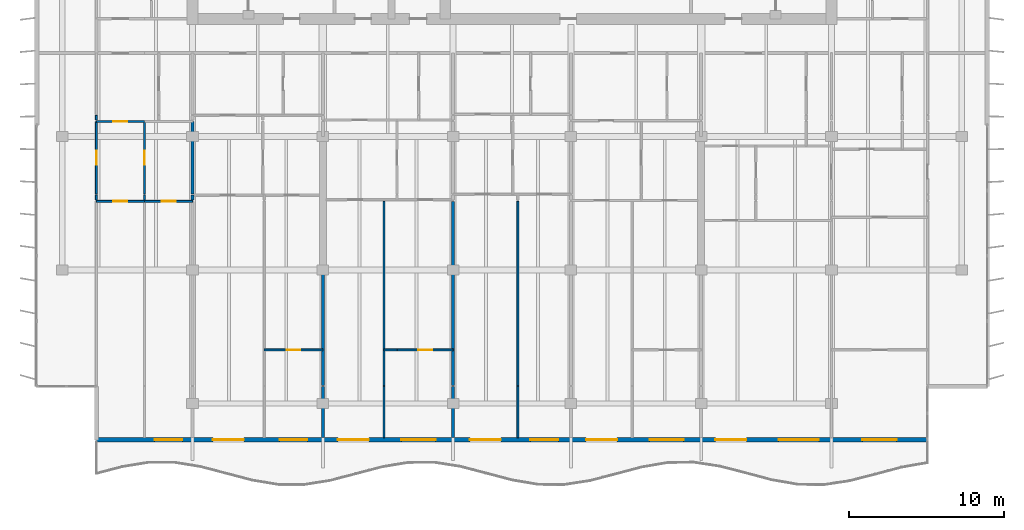
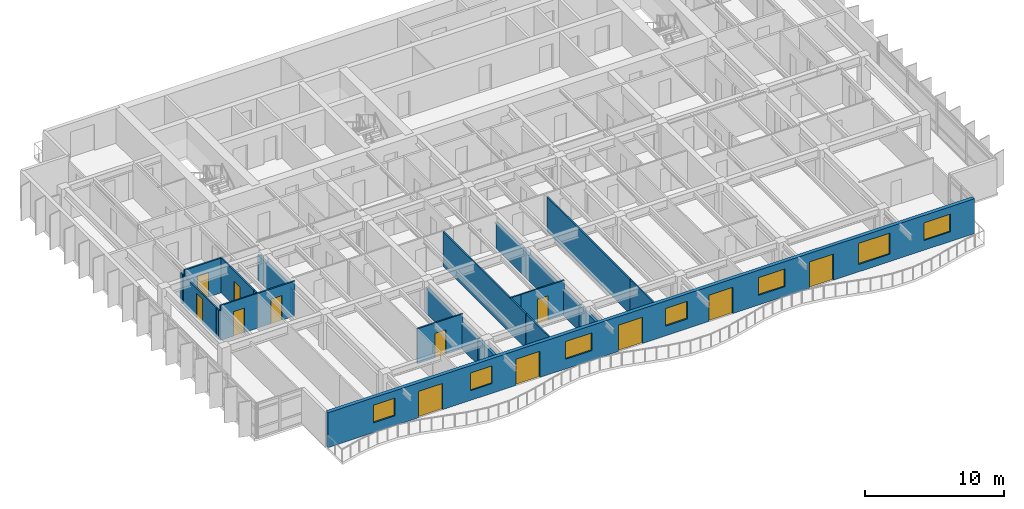
# One storey, part 6 of 17: 22 walls, 12 doors, 7 windows, 19 openings.
"""IFC4 building model written with IfcOpenShell, lengths in metres."""

from ifc_helpers import new_model, si_unit, direction, frame, frame_2d, origin, place, context, subcontext, project, spatial, rectangle, extrude, material, layer, layer_set, type_object, element, fill, save


model = new_model("IFC4")

# Units and contexts
model_context = context("Model", 3, precision=1e-05, world=origin(), true_north=direction((0.0, 1.0)))
body_context = subcontext(model_context, "Body", "Model", "MODEL_VIEW")
ifc_project = project(units=[si_unit("LENGTHUNIT", "METRE"), si_unit("AREAUNIT", "SQUARE_METRE"), si_unit("VOLUMEUNIT", "CUBIC_METRE"), si_unit("PLANEANGLEUNIT", "RADIAN"), si_unit("MASSUNIT", "GRAM", prefix="KILO")], contexts=[model_context])

# Site, building, storey
site_placement = place(None, origin())
site = spatial("IfcSite", under=ifc_project, at=site_placement, CompositionType="ELEMENT")
building_placement = place(site_placement, origin())
building = spatial("IfcBuilding", under=site, at=building_placement, Name="Caelmar Bay Residences", CompositionType="ELEMENT")
storey_placement = place(building_placement, frame((0.0, 0.0, 262.800048828125)))
storey = spatial("IfcBuildingStorey", under=building, at=storey_placement, Name="L74", CompositionType="ELEMENT", Elevation=262.800048828125)

# Wall, openings, doors, windows
ifc_material_1 = material(Name="Precast concrete f'c 40 MPa (6,000 psi)", Category="concrete")
ifc_layer_1 = layer(ifc_material_1, 0.300048828125)
ifc_layer_set_1 = layer_set([ifc_layer_1], Name="Precast concrete f'c 40 MPa (6,000 psi)")
wall_type_1 = type_object("IfcWallType", Name="W-EXT-300", PredefinedType="STANDARD", material=ifc_layer_set_1)
wall_1_placement = place(storey_placement, frame((65.699951171875, 9.85009765625, 0.0), z_axis=(0.0, 0.0, 1.0), x_axis=(-1.0, 0.0, 0.0)))
wall_1 = element("IfcWall", 1, at=wall_1_placement, inside=storey, type_object=wall_type_1, Name="L74 South Bayfront Exterior Wall", PredefinedType="STANDARD", context=body_context, shape_type="SweptSolid", body=[
    extrude(rectangle(XDim=53.599853515625, YDim=0.300048828125, at=frame_2d((26.7998046875, 0.0))), origin(), (0.0, 0.0, 1.0), 3.050048828125),
])
opening_1_placement = place(wall_1_placement, frame((48.050048828125, 0.0, 0.85009765625)))
opening_1 = element("IfcOpeningElement", 2, at=opening_1_placement, cuts=wall_1, Name="Opening WN1", PredefinedType="OPENING", context=body_context, shape_type="SweptSolid", body=[
    extrude(rectangle(XDim=1.800048828125, YDim=1.550048828125, at=frame_2d((0.89990234375, 0.77490234375))), frame((0.0, 0.159912109375, 0.0), z_axis=(0.0, -1.0, 0.0), x_axis=(1.0, 0.0, 0.0)), (0.0, 0.0, 1.0), 0.320068359375),
])
opening_2_placement = place(wall_1_placement, frame((44.090087890625, 0.0, 0.0)))
opening_2 = element("IfcOpeningElement", 3, at=opening_2_placement, cuts=wall_1, Name="Opening L74-BD01", PredefinedType="OPENING", context=body_context, shape_type="SweptSolid", body=[
    extrude(rectangle(XDim=2.0, YDim=2.300048828125, at=frame_2d((1.0, 1.14990234375))), frame((0.0, 0.159912109375, 0.0), z_axis=(0.0, -1.0, 0.0), x_axis=(1.0, 0.0, 0.0)), (0.0, 0.0, 1.0), 0.320068359375),
])
opening_3_placement = place(wall_1_placement, frame((39.989990234375, 0.0, 0.85009765625)))
opening_3 = element("IfcOpeningElement", 4, at=opening_3_placement, cuts=wall_1, Name="Opening WN1", PredefinedType="OPENING", context=body_context, shape_type="SweptSolid", body=[
    extrude(rectangle(XDim=1.800048828125, YDim=1.550048828125, at=frame_2d((0.89990234375, 0.77490234375))), frame((0.0, 0.159912109375, 0.0), z_axis=(0.0, -1.0, 0.0), x_axis=(1.0, 0.0, 0.0)), (0.0, 0.0, 1.0), 0.320068359375),
])
opening_4_placement = place(wall_1_placement, frame((36.02587890625, 0.0, 0.0)))
opening_4 = element("IfcOpeningElement", 5, at=opening_4_placement, cuts=wall_1, Name="Opening L74-BD02", PredefinedType="OPENING", context=body_context, shape_type="SweptSolid", body=[
    extrude(rectangle(XDim=2.0, YDim=2.300048828125, at=frame_2d((1.0, 1.14990234375))), frame((0.0, 0.159912109375, 0.0), z_axis=(0.0, -1.0, 0.0), x_axis=(1.0, 0.0, 0.0)), (0.0, 0.0, 1.0), 0.320068359375),
])
opening_5_placement = place(wall_1_placement, frame((31.72607421875, 0.0, 0.85009765625)))
opening_5 = element("IfcOpeningElement", 6, at=opening_5_placement, cuts=wall_1, Name="Opening WN2", PredefinedType="OPENING", context=body_context, shape_type="SweptSolid", body=[
    extrude(rectangle(XDim=2.199951171875, YDim=1.550048828125, at=frame_2d((1.10009765625, 0.77490234375))), frame((0.0, 0.159912109375, 0.0), z_axis=(0.0, -1.0, 0.0), x_axis=(1.0, 0.0, 0.0)), (0.0, 0.0, 1.0), 0.320068359375),
])
opening_6_placement = place(wall_1_placement, frame((27.510009765625, 0.0, 0.0)))
opening_6 = element("IfcOpeningElement", 7, at=opening_6_placement, cuts=wall_1, Name="Opening L74-BD03", PredefinedType="OPENING", context=body_context, shape_type="SweptSolid", body=[
    extrude(rectangle(XDim=2.0, YDim=2.300048828125, at=frame_2d((1.0, 1.14990234375))), frame((0.0, 0.159912109375, 0.0), z_axis=(0.0, -1.0, 0.0), x_axis=(1.0, 0.0, 0.0)), (0.0, 0.0, 1.0), 0.320068359375),
])
opening_7_placement = place(wall_1_placement, frame((23.81005859375, 0.0, 0.85009765625)))
opening_7 = element("IfcOpeningElement", 8, at=opening_7_placement, cuts=wall_1, Name="Opening WN1", PredefinedType="OPENING", context=body_context, shape_type="SweptSolid", body=[
    extrude(rectangle(XDim=1.800048828125, YDim=1.550048828125, at=frame_2d((0.89990234375, 0.77490234375))), frame((0.0, 0.159912109375, 0.0), z_axis=(0.0, -1.0, 0.0), x_axis=(1.0, 0.0, 0.0)), (0.0, 0.0, 1.0), 0.320068359375),
])
opening_8_placement = place(wall_1_placement, frame((20.02587890625, 0.0, 0.0)))
opening_8 = element("IfcOpeningElement", 9, at=opening_8_placement, cuts=wall_1, Name="Opening L74-BD04", PredefinedType="OPENING", context=body_context, shape_type="SweptSolid", body=[
    extrude(rectangle(XDim=2.0, YDim=2.300048828125, at=frame_2d((1.0, 1.14990234375))), frame((0.0, 0.159912109375, 0.0), z_axis=(0.0, -1.0, 0.0), x_axis=(1.0, 0.0, 0.0)), (0.0, 0.0, 1.0), 0.320068359375),
])
opening_9_placement = place(wall_1_placement, frame((15.72607421875, 0.0, 0.85009765625)))
opening_9 = element("IfcOpeningElement", 10, at=opening_9_placement, cuts=wall_1, Name="Opening WN2", PredefinedType="OPENING", context=body_context, shape_type="SweptSolid", body=[
    extrude(rectangle(XDim=2.199951171875, YDim=1.550048828125, at=frame_2d((1.10009765625, 0.77490234375))), frame((0.0, 0.159912109375, 0.0), z_axis=(0.0, -1.0, 0.0), x_axis=(1.0, 0.0, 0.0)), (0.0, 0.0, 1.0), 0.320068359375),
])
opening_10_placement = place(wall_1_placement, frame((11.68994140625, 0.0, 0.0)))
opening_10 = element("IfcOpeningElement", 11, at=opening_10_placement, cuts=wall_1, Name="Opening L74-BD05", PredefinedType="OPENING", context=body_context, shape_type="SweptSolid", body=[
    extrude(rectangle(XDim=2.0, YDim=2.300048828125, at=frame_2d((1.0, 1.14990234375))), frame((0.0, 0.159912109375, 0.0), z_axis=(0.0, -1.0, 0.0), x_axis=(1.0, 0.0, 0.0)), (0.0, 0.0, 1.0), 0.320068359375),
])
opening_11_placement = place(wall_1_placement, frame((7.010009765625, 0.0, 0.64990234375)))
opening_11 = element("IfcOpeningElement", 12, at=opening_11_placement, cuts=wall_1, Name="Opening WN3", PredefinedType="OPENING", context=body_context, shape_type="SweptSolid", body=[
    extrude(rectangle(XDim=2.60009765625, YDim=1.85009765625, at=frame_2d((1.300048828125, 0.925048828125))), frame((0.0, 0.159912109375, 0.0), z_axis=(0.0, -1.0, 0.0), x_axis=(1.0, 0.0, 0.0)), (0.0, 0.0, 1.0), 0.320068359375),
])
opening_12_placement = place(wall_1_placement, frame((2.0, 0.0, 0.85009765625)))
opening_12 = element("IfcOpeningElement", 13, at=opening_12_placement, cuts=wall_1, Name="Opening WN2", PredefinedType="OPENING", context=body_context, shape_type="SweptSolid", body=[
    extrude(rectangle(XDim=2.199951171875, YDim=1.550048828125, at=frame_2d((1.10009765625, 0.77490234375))), frame((0.0, 0.159912109375, 0.0), z_axis=(0.0, -1.0, 0.0), x_axis=(1.0, 0.0, 0.0)), (0.0, 0.0, 1.0), 0.320068359375),
])
ifc_material_2 = material(Name="Anodised bronze thermally broken sliding glass door", Category="glass")
ifc_layer_2 = layer(ifc_material_2, 0.050048828125)
ifc_layer_set_2 = layer_set([ifc_layer_2], Name="Anodised bronze thermally broken sliding glass door")
door_type_1 = type_object("IfcDoorType", Name="D-BAL-2000", OperationType="DOUBLE_DOOR_SLIDING", PredefinedType="DOOR", material=ifc_layer_set_2)
door_1_placement = place(opening_2_placement, origin())
door_1 = element("IfcDoor", 14, at=door_1_placement, inside=storey, type_object=door_type_1, Name="L74 Residence 02 Living Room Balcony Door", OperationType="DOUBLE_DOOR_SLIDING", OverallHeight=2.300048828125, OverallWidth=2.0, PredefinedType="DOOR", context=body_context, shape_type="SweptSolid", body=[
    extrude(rectangle(XDim=2.0, YDim=2.300048828125, at=frame_2d((1.0, 1.14990234375))), frame((0.0, 0.02490234375, 0.0), z_axis=(0.0, -1.0, 0.0), x_axis=(1.0, 0.0, 0.0)), (0.0, 0.0, 1.0), 0.050048828125),
])
fill(opening_2, door_1)
door_2_placement = place(opening_4_placement, origin())
door_2 = element("IfcDoor", 15, at=door_2_placement, inside=storey, type_object=door_type_1, Name="L74 Residence 03 Living Room Balcony Door", OperationType="DOUBLE_DOOR_SLIDING", OverallHeight=2.300048828125, OverallWidth=2.0, PredefinedType="DOOR", context=body_context, shape_type="SweptSolid", body=[
    extrude(rectangle(XDim=2.0, YDim=2.300048828125, at=frame_2d((1.0, 1.14990234375))), frame((0.0, 0.02490234375, 0.0), z_axis=(0.0, -1.0, 0.0), x_axis=(1.0, 0.0, 0.0)), (0.0, 0.0, 1.0), 0.050048828125),
])
fill(opening_4, door_2)
door_3_placement = place(opening_6_placement, origin())
door_3 = element("IfcDoor", 16, at=door_3_placement, inside=storey, type_object=door_type_1, Name="L74 Residence 04 Living Room Balcony Door", OperationType="DOUBLE_DOOR_SLIDING", OverallHeight=2.300048828125, OverallWidth=2.0, PredefinedType="DOOR", context=body_context, shape_type="SweptSolid", body=[
    extrude(rectangle(XDim=2.0, YDim=2.300048828125, at=frame_2d((1.0, 1.14990234375))), frame((0.0, 0.02490234375, 0.0), z_axis=(0.0, -1.0, 0.0), x_axis=(1.0, 0.0, 0.0)), (0.0, 0.0, 1.0), 0.050048828125),
])
fill(opening_6, door_3)
door_4_placement = place(opening_8_placement, origin())
door_4 = element("IfcDoor", 17, at=door_4_placement, inside=storey, type_object=door_type_1, Name="L74 Residence 05 Living Room Balcony Door", OperationType="DOUBLE_DOOR_SLIDING", OverallHeight=2.300048828125, OverallWidth=2.0, PredefinedType="DOOR", context=body_context, shape_type="SweptSolid", body=[
    extrude(rectangle(XDim=2.0, YDim=2.300048828125, at=frame_2d((1.0, 1.14990234375))), frame((0.0, 0.02490234375, 0.0), z_axis=(0.0, -1.0, 0.0), x_axis=(1.0, 0.0, 0.0)), (0.0, 0.0, 1.0), 0.050048828125),
])
fill(opening_8, door_4)
door_5_placement = place(opening_10_placement, origin())
door_5 = element("IfcDoor", 18, at=door_5_placement, inside=storey, type_object=door_type_1, Name="L74 Residence 06 Penthouse Living Salon Balcony Door", OperationType="DOUBLE_DOOR_SLIDING", OverallHeight=2.300048828125, OverallWidth=2.0, PredefinedType="DOOR", context=body_context, shape_type="SweptSolid", body=[
    extrude(rectangle(XDim=2.0, YDim=2.300048828125, at=frame_2d((1.0, 1.14990234375))), frame((0.0, 0.02490234375, 0.0), z_axis=(0.0, -1.0, 0.0), x_axis=(1.0, 0.0, 0.0)), (0.0, 0.0, 1.0), 0.050048828125),
])
fill(opening_10, door_5)
ifc_material_3 = material(Name="Bronze aluminium frame with laminated low-E glass", Category="aluminium")
ifc_layer_3 = layer(ifc_material_3, 0.06005859375)
ifc_layer_set_3 = layer_set([ifc_layer_3], Name="Bronze aluminium frame with laminated low-E glass")
window_type_1 = type_object("IfcWindowType", Name="WIN-BR-1800", PartitioningType="SINGLE_PANEL", PredefinedType="WINDOW", material=ifc_layer_set_3)
window_1_placement = place(opening_1_placement, origin())
window_1 = element("IfcWindow", 19, at=window_1_placement, inside=storey, type_object=window_type_1, Name="L74 Residence 01 Primary Bedroom Window", OverallHeight=1.550048828125, OverallWidth=1.800048828125, PartitioningType="SINGLE_PANEL", PredefinedType="WINDOW", context=body_context, shape_type="SweptSolid", body=[
    extrude(rectangle(XDim=1.800048828125, YDim=1.550048828125, at=frame_2d((0.89990234375, 0.77490234375))), frame((0.0, 0.030029296875, 0.0), z_axis=(0.0, -1.0, 0.0), x_axis=(1.0, 0.0, 0.0)), (0.0, 0.0, 1.0), 0.06005859375),
])
fill(opening_1, window_1)
window_2_placement = place(opening_3_placement, origin())
window_2 = element("IfcWindow", 20, at=window_2_placement, inside=storey, type_object=window_type_1, Name="L74 Residence 02 Primary Bedroom Window", OverallHeight=1.550048828125, OverallWidth=1.800048828125, PartitioningType="SINGLE_PANEL", PredefinedType="WINDOW", context=body_context, shape_type="SweptSolid", body=[
    extrude(rectangle(XDim=1.800048828125, YDim=1.550048828125, at=frame_2d((0.89990234375, 0.77490234375))), frame((0.0, 0.030029296875, 0.0), z_axis=(0.0, -1.0, 0.0), x_axis=(1.0, 0.0, 0.0)), (0.0, 0.0, 1.0), 0.06005859375),
])
fill(opening_3, window_2)
window_3_placement = place(opening_7_placement, origin())
window_3 = element("IfcWindow", 21, at=window_3_placement, inside=storey, type_object=window_type_1, Name="L74 Residence 04 Primary Bedroom Window", OverallHeight=1.550048828125, OverallWidth=1.800048828125, PartitioningType="SINGLE_PANEL", PredefinedType="WINDOW", context=body_context, shape_type="SweptSolid", body=[
    extrude(rectangle(XDim=1.800048828125, YDim=1.550048828125, at=frame_2d((0.89990234375, 0.77490234375))), frame((0.0, 0.030029296875, 0.0), z_axis=(0.0, -1.0, 0.0), x_axis=(1.0, 0.0, 0.0)), (0.0, 0.0, 1.0), 0.06005859375),
])
fill(opening_7, window_3)
ifc_layer_4 = layer(ifc_material_3, 0.06005859375)
ifc_layer_set_4 = layer_set([ifc_layer_4], Name="Bronze aluminium frame with laminated low-E glass")
window_type_2 = type_object("IfcWindowType", Name="WIN-BR-2200", PartitioningType="SINGLE_PANEL", PredefinedType="WINDOW", material=ifc_layer_set_4)
window_4_placement = place(opening_5_placement, origin())
window_4 = element("IfcWindow", 22, at=window_4_placement, inside=storey, type_object=window_type_2, Name="L74 Residence 03 Primary Bedroom Window", OverallHeight=1.550048828125, OverallWidth=2.199951171875, PartitioningType="SINGLE_PANEL", PredefinedType="WINDOW", context=body_context, shape_type="SweptSolid", body=[
    extrude(rectangle(XDim=2.199951171875, YDim=1.550048828125, at=frame_2d((1.10009765625, 0.77490234375))), frame((0.0, 0.030029296875, 0.0), z_axis=(0.0, -1.0, 0.0), x_axis=(1.0, 0.0, 0.0)), (0.0, 0.0, 1.0), 0.06005859375),
])
fill(opening_5, window_4)
window_5_placement = place(opening_9_placement, origin())
window_5 = element("IfcWindow", 23, at=window_5_placement, inside=storey, type_object=window_type_2, Name="L74 Residence 05 Primary Bedroom Window", OverallHeight=1.550048828125, OverallWidth=2.199951171875, PartitioningType="SINGLE_PANEL", PredefinedType="WINDOW", context=body_context, shape_type="SweptSolid", body=[
    extrude(rectangle(XDim=2.199951171875, YDim=1.550048828125, at=frame_2d((1.10009765625, 0.77490234375))), frame((0.0, 0.030029296875, 0.0), z_axis=(0.0, -1.0, 0.0), x_axis=(1.0, 0.0, 0.0)), (0.0, 0.0, 1.0), 0.06005859375),
])
fill(opening_9, window_5)
window_6_placement = place(opening_12_placement, origin())
window_6 = element("IfcWindow", 24, at=window_6_placement, inside=storey, type_object=window_type_2, Name="L74 Residence 06 Primary Bedroom 1 Window", OverallHeight=1.550048828125, OverallWidth=2.199951171875, PartitioningType="SINGLE_PANEL", PredefinedType="WINDOW", context=body_context, shape_type="SweptSolid", body=[
    extrude(rectangle(XDim=2.199951171875, YDim=1.550048828125, at=frame_2d((1.10009765625, 0.77490234375))), frame((0.0, 0.030029296875, 0.0), z_axis=(0.0, -1.0, 0.0), x_axis=(1.0, 0.0, 0.0)), (0.0, 0.0, 1.0), 0.06005859375),
])
fill(opening_12, window_6)
ifc_layer_5 = layer(ifc_material_3, 0.06005859375)
ifc_layer_set_5 = layer_set([ifc_layer_5], Name="Bronze aluminium frame with laminated low-E glass")
window_type_3 = type_object("IfcWindowType", Name="WIN-LIV-2600", PartitioningType="SINGLE_PANEL", PredefinedType="WINDOW", material=ifc_layer_set_5)
window_7_placement = place(opening_11_placement, origin())
window_7 = element("IfcWindow", 25, at=window_7_placement, inside=storey, type_object=window_type_3, Name="L74 Residence 06 Penthouse Living Salon Panoramic Window", OverallHeight=1.85009765625, OverallWidth=2.60009765625, PartitioningType="SINGLE_PANEL", PredefinedType="WINDOW", context=body_context, shape_type="SweptSolid", body=[
    extrude(rectangle(XDim=2.60009765625, YDim=1.85009765625, at=frame_2d((1.300048828125, 0.925048828125))), frame((0.0, 0.030029296875, 0.0), z_axis=(0.0, -1.0, 0.0), x_axis=(1.0, 0.0, 0.0)), (0.0, 0.0, 1.0), 0.06005859375),
])
fill(opening_11, window_7)

# Wall
ifc_material_4 = material(Name="Acoustic metal-stud gypsum partition 120 mm")
ifc_layer_6 = layer(ifc_material_4, 0.1201171875)
ifc_layer_set_6 = layer_set([ifc_layer_6], Name="Acoustic metal-stud gypsum partition 120 mm")
wall_type_2 = type_object("IfcWallType", Name="W-PRT-120", PredefinedType="PARTITIONING", material=ifc_layer_set_6)
wall_2_placement = place(storey_placement, frame((12.10009765625, 25.330078125, 0.0), z_axis=(0.0, 0.0, 1.0), x_axis=(0.0, 1.0, 0.0)))
element("IfcWall", 26, at=wall_2_placement, inside=storey, type_object=wall_type_2, Name="L74 Partition Wall V002", PredefinedType="PARTITIONING", context=body_context, shape_type="SweptSolid", body=[
    extrude(rectangle(XDim=0.2998046875, YDim=0.1201171875, at=frame_2d((0.14990234375, 0.0))), origin(), (0.0, 0.0, 1.0), 2.577880859375),
])

# Wall, opening, door
wall_3_placement = place(storey_placement, frame((12.10009765625, 25.68994140625, 0.0), z_axis=(0.0, 0.0, 1.0), x_axis=(0.0, 1.0, 0.0)))
wall_3 = element("IfcWall", 27, at=wall_3_placement, inside=storey, type_object=wall_type_2, Name="L74 Partition Wall V003", PredefinedType="PARTITIONING", context=body_context, shape_type="SweptSolid", body=[
    extrude(rectangle(XDim=4.68994140625, YDim=0.1201171875, at=frame_2d((2.344970703125, 0.0))), origin(), (0.0, 0.0, 1.0), 2.577880859375),
])
opening_13_placement = place(wall_3_placement, frame((1.89501953125, 0.0, 0.0)))
opening_13 = element("IfcOpeningElement", 28, at=opening_13_placement, cuts=wall_3, Name="Opening D-L74-165", PredefinedType="OPENING", context=body_context, shape_type="SweptSolid", body=[
    extrude(rectangle(XDim=0.89990234375, YDim=2.14990234375, at=frame_2d((0.449951171875, 1.074951171875))), frame((0.0, 0.070068359375, 0.0), z_axis=(0.0, -1.0, 0.0), x_axis=(1.0, 0.0, 0.0)), (0.0, 0.0, 1.0), 0.14013671875),
])
ifc_material_5 = material(Name="Solid walnut timber interior door leaf and frame", Category="wood")
ifc_layer_7 = layer(ifc_material_5, 0.050048828125)
ifc_layer_set_7 = layer_set([ifc_layer_7], Name="Solid walnut timber interior door leaf and frame")
door_type_2 = type_object("IfcDoorType", Name="D-ROOM-900", OperationType="NOTDEFINED", PredefinedType="DOOR", material=ifc_layer_set_7)
door_6_placement = place(opening_13_placement, origin())
door_6 = element("IfcDoor", 29, at=door_6_placement, inside=storey, type_object=door_type_2, Name="L74 Residence 01 Penthouse West Salon Door", OperationType="SINGLE_SWING_LEFT", OverallHeight=2.14990234375, OverallWidth=0.89990234375, PredefinedType="DOOR", context=body_context, shape_type="SweptSolid", body=[
    extrude(rectangle(XDim=0.89990234375, YDim=2.14990234375, at=frame_2d((0.449951171875, 1.074951171875))), frame((0.0, 0.02490234375, 0.0), z_axis=(0.0, -1.0, 0.0), x_axis=(1.0, 0.0, 0.0)), (0.0, 0.0, 1.0), 0.050048828125),
])
fill(opening_13, door_6)

# Walls
wall_4_placement = place(storey_placement, frame((12.10009765625, 30.47998046875, 0.0), z_axis=(0.0, 0.0, 1.0), x_axis=(0.0, 1.0, 0.0)))
element("IfcWall", 30, at=wall_4_placement, inside=storey, type_object=wall_type_2, Name="L74 Partition Wall V004", PredefinedType="PARTITIONING", context=body_context, shape_type="SweptSolid", body=[
    extrude(rectangle(XDim=0.300048828125, YDim=0.1201171875, at=frame_2d((0.14990234375, 0.0))), origin(), (0.0, 0.0, 1.0), 2.577880859375),
])
wall_5_placement = place(storey_placement, frame((15.197998046875, 25.330078125, 0.0), z_axis=(0.0, 0.0, 1.0), x_axis=(0.0, 1.0, 0.0)))
element("IfcWall", 31, at=wall_5_placement, inside=storey, type_object=wall_type_2, Name="L74 Partition Wall V008", PredefinedType="PARTITIONING", context=body_context, shape_type="SweptSolid", body=[
    extrude(rectangle(XDim=0.2998046875, YDim=0.1201171875, at=frame_2d((0.14990234375, 0.0))), origin(), (0.0, 0.0, 1.0), 3.050048828125),
])

# Wall, opening, door
wall_6_placement = place(storey_placement, frame((15.197998046875, 25.68994140625, 0.0), z_axis=(0.0, 0.0, 1.0), x_axis=(0.0, 1.0, 0.0)))
wall_6 = element("IfcWall", 32, at=wall_6_placement, inside=storey, type_object=wall_type_2, Name="L74 Partition Wall V009", PredefinedType="PARTITIONING", context=body_context, shape_type="SweptSolid", body=[
    extrude(rectangle(XDim=4.68994140625, YDim=0.1201171875, at=frame_2d((2.344970703125, 0.0))), origin(), (0.0, 0.0, 1.0), 3.050048828125),
])
opening_14_placement = place(wall_6_placement, frame((1.89501953125, 0.0, 0.0)))
opening_14 = element("IfcOpeningElement", 33, at=opening_14_placement, cuts=wall_6, Name="Opening D-L74-125", PredefinedType="OPENING", context=body_context, shape_type="SweptSolid", body=[
    extrude(rectangle(XDim=0.89990234375, YDim=2.14990234375, at=frame_2d((0.449951171875, 1.074951171875))), frame((0.0, 0.070068359375, 0.0), z_axis=(0.0, -1.0, 0.0), x_axis=(1.0, 0.0, 0.0)), (0.0, 0.0, 1.0), 0.14013671875),
])
door_7_placement = place(opening_14_placement, origin())
door_7 = element("IfcDoor", 34, at=door_7_placement, inside=storey, type_object=door_type_2, Name="L74 Residence 01 Private Reception Salon Door", OperationType="SINGLE_SWING_LEFT", OverallHeight=2.14990234375, OverallWidth=0.89990234375, PredefinedType="DOOR", context=body_context, shape_type="SweptSolid", body=[
    extrude(rectangle(XDim=0.89990234375, YDim=2.14990234375, at=frame_2d((0.449951171875, 1.074951171875))), frame((0.0, 0.02490234375, 0.0), z_axis=(0.0, -1.0, 0.0), x_axis=(1.0, 0.0, 0.0)), (0.0, 0.0, 1.0), 0.050048828125),
])
fill(opening_14, door_7)

# Walls
wall_7_placement = place(storey_placement, frame((30.64794921875, 9.9951171875, 0.0), z_axis=(0.0, 0.0, 1.0), x_axis=(0.0, 1.0, 0.0)))
element("IfcWall", 35, at=wall_7_placement, inside=storey, type_object=wall_type_2, Name="L74 Partition Wall V036", PredefinedType="PARTITIONING", context=body_context, shape_type="SweptSolid", body=[
    extrude(rectangle(XDim=3.304931640625, YDim=0.1201171875, at=frame_2d((1.65234375, 0.0))), origin(), (0.0, 0.0, 1.0), 3.050048828125),
])
wall_8_placement = place(storey_placement, frame((30.64794921875, 13.340087890625, 0.0), z_axis=(0.0, 0.0, 1.0), x_axis=(0.0, 1.0, 0.0)))
element("IfcWall", 36, at=wall_8_placement, inside=storey, type_object=wall_type_2, Name="L74 Partition Wall V037", PredefinedType="PARTITIONING", context=body_context, shape_type="SweptSolid", body=[
    extrude(rectangle(XDim=11.889892578125, YDim=0.1201171875, at=frame_2d((5.94482421875, 0.0))), origin(), (0.0, 0.0, 1.0), 3.050048828125),
])
wall_9_placement = place(storey_placement, frame((39.280029296875, 9.9951171875, 0.0), z_axis=(0.0, 0.0, 1.0), x_axis=(0.0, 1.0, 0.0)))
element("IfcWall", 37, at=wall_9_placement, inside=storey, type_object=wall_type_2, Name="L74 Partition Wall V051", PredefinedType="PARTITIONING", context=body_context, shape_type="SweptSolid", body=[
    extrude(rectangle(XDim=3.304931640625, YDim=0.1201171875, at=frame_2d((1.65234375, 0.0))), origin(), (0.0, 0.0, 1.0), 3.050048828125),
])
wall_10_placement = place(storey_placement, frame((39.280029296875, 13.340087890625, 0.0), z_axis=(0.0, 0.0, 1.0), x_axis=(0.0, 1.0, 0.0)))
element("IfcWall", 38, at=wall_10_placement, inside=storey, type_object=wall_type_2, Name="L74 Partition Wall V052", PredefinedType="PARTITIONING", context=body_context, shape_type="SweptSolid", body=[
    extrude(rectangle(XDim=11.889892578125, YDim=0.1201171875, at=frame_2d((5.94482421875, 0.0))), origin(), (0.0, 0.0, 1.0), 3.050048828125),
])

# Wall, opening, door
wall_11_placement = place(storey_placement, frame((22.919921875, 15.64990234375, 0.0), z_axis=(0.0, 0.0, 1.0), x_axis=(1.0, 0.0, 0.0)))
wall_11 = element("IfcWall", 39, at=wall_11_placement, inside=storey, type_object=wall_type_2, Name="L74 Partition Wall H104", PredefinedType="PARTITIONING", context=body_context, shape_type="SweptSolid", body=[
    extrude(rectangle(XDim=3.780029296875, YDim=0.1201171875, at=frame_2d((1.89013671875, 0.0))), origin(), (0.0, 0.0, 1.0), 3.050048828125),
])
opening_15_placement = place(wall_11_placement, frame((1.43994140625, 0.0, 0.0)))
opening_15 = element("IfcOpeningElement", 40, at=opening_15_placement, cuts=wall_11, Name="Opening D-L74-134", PredefinedType="OPENING", context=body_context, shape_type="SweptSolid", body=[
    extrude(rectangle(XDim=0.89990234375, YDim=2.14990234375, at=frame_2d((0.449951171875, 1.074951171875))), frame((0.0, 0.070068359375, 0.0), z_axis=(0.0, -1.0, 0.0), x_axis=(1.0, 0.0, 0.0)), (0.0, 0.0, 1.0), 0.14013671875),
])
door_8_placement = place(opening_15_placement, origin())
door_8 = element("IfcDoor", 41, at=door_8_placement, inside=storey, type_object=door_type_2, Name="L74 Residence 02 Primary Bedroom Door", OperationType="SINGLE_SWING_RIGHT", OverallHeight=2.14990234375, OverallWidth=0.89990234375, PredefinedType="DOOR", context=body_context, shape_type="SweptSolid", body=[
    extrude(rectangle(XDim=0.89990234375, YDim=2.14990234375, at=frame_2d((0.449951171875, 1.074951171875))), frame((0.0, 0.02490234375, 0.0), z_axis=(0.0, -1.0, 0.0), x_axis=(1.0, 0.0, 0.0)), (0.0, 0.0, 1.0), 0.050048828125),
])
fill(opening_15, door_8)

# Wall
wall_12_placement = place(storey_placement, frame((30.64794921875, 15.64990234375, 0.0), z_axis=(0.0, 0.0, 1.0), x_axis=(1.0, 0.0, 0.0)))
element("IfcWall", 42, at=wall_12_placement, inside=storey, type_object=wall_type_2, Name="L74 Partition Wall H105", PredefinedType="PARTITIONING", context=body_context, shape_type="SweptSolid", body=[
    extrude(rectangle(XDim=0.838134765625, YDim=0.1201171875, at=frame_2d((0.4189453125, 0.0))), origin(), (0.0, 0.0, 1.0), 3.050048828125),
])

# Wall, opening, door
wall_13_placement = place(storey_placement, frame((31.5, 15.64990234375, 0.0), z_axis=(0.0, 0.0, 1.0), x_axis=(1.0, 0.0, 0.0)))
wall_13 = element("IfcWall", 43, at=wall_13_placement, inside=storey, type_object=wall_type_2, Name="L74 Partition Wall H106", PredefinedType="PARTITIONING", context=body_context, shape_type="SweptSolid", body=[
    extrude(rectangle(XDim=3.60009765625, YDim=0.1201171875, at=frame_2d((1.800048828125, 0.0))), origin(), (0.0, 0.0, 1.0), 3.050048828125),
])
opening_16_placement = place(wall_13_placement, frame((1.35009765625, 0.0, 0.0)))
opening_16 = element("IfcOpeningElement", 44, at=opening_16_placement, cuts=wall_13, Name="Opening D-L74-141", PredefinedType="OPENING", context=body_context, shape_type="SweptSolid", body=[
    extrude(rectangle(XDim=0.89990234375, YDim=2.14990234375, at=frame_2d((0.449951171875, 1.074951171875))), frame((0.0, 0.070068359375, 0.0), z_axis=(0.0, -1.0, 0.0), x_axis=(1.0, 0.0, 0.0)), (0.0, 0.0, 1.0), 0.14013671875),
])
door_9_placement = place(opening_16_placement, origin())
door_9 = element("IfcDoor", 45, at=door_9_placement, inside=storey, type_object=door_type_2, Name="L74 Residence 03 Primary Bedroom Door", OperationType="SINGLE_SWING_LEFT", OverallHeight=2.14990234375, OverallWidth=0.89990234375, PredefinedType="DOOR", context=body_context, shape_type="SweptSolid", body=[
    extrude(rectangle(XDim=0.89990234375, YDim=2.14990234375, at=frame_2d((0.449951171875, 1.074951171875))), frame((0.0, 0.02490234375, 0.0), z_axis=(0.0, -1.0, 0.0), x_axis=(1.0, 0.0, 0.0)), (0.0, 0.0, 1.0), 0.050048828125),
])
fill(opening_16, door_9)

wall_14_placement = place(storey_placement, frame((12.10009765625, 25.22998046875, 0.0), z_axis=(0.0, 0.0, 1.0), x_axis=(1.0, 0.0, 0.0)))
wall_14 = element("IfcWall", 46, at=wall_14_placement, inside=storey, type_object=wall_type_2, Name="L74 Partition Wall H111", PredefinedType="PARTITIONING", context=body_context, shape_type="SweptSolid", body=[
    extrude(rectangle(XDim=3.097900390625, YDim=0.1201171875, at=frame_2d((1.548828125, 0.0))), origin(), (0.0, 0.0, 1.0), 3.050048828125),
])
opening_17_placement = place(wall_14_placement, frame((1.09912109375, 0.0, 0.0)))
opening_17 = element("IfcOpeningElement", 47, at=opening_17_placement, cuts=wall_14, Name="Opening D-L74-126", PredefinedType="OPENING", context=body_context, shape_type="SweptSolid", body=[
    extrude(rectangle(XDim=0.89990234375, YDim=2.14990234375, at=frame_2d((0.449951171875, 1.074951171875))), frame((0.0, 0.070068359375, 0.0), z_axis=(0.0, -1.0, 0.0), x_axis=(1.0, 0.0, 0.0)), (0.0, 0.0, 1.0), 0.14013671875),
])
door_10_placement = place(opening_17_placement, origin())
door_10 = element("IfcDoor", 48, at=door_10_placement, inside=storey, type_object=door_type_2, Name="L74 Residence 01 Living Room Door", OperationType="SINGLE_SWING_RIGHT", OverallHeight=2.14990234375, OverallWidth=0.89990234375, PredefinedType="DOOR", context=body_context, shape_type="SweptSolid", body=[
    extrude(rectangle(XDim=0.89990234375, YDim=2.14990234375, at=frame_2d((0.449951171875, 1.074951171875))), frame((0.0, 0.02490234375, 0.0), z_axis=(0.0, -1.0, 0.0), x_axis=(1.0, 0.0, 0.0)), (0.0, 0.0, 1.0), 0.050048828125),
])
fill(opening_17, door_10)

wall_15_placement = place(storey_placement, frame((15.202880859375, 25.22998046875, 0.0), z_axis=(0.0, 0.0, 1.0), x_axis=(1.0, 0.0, 0.0)))
wall_15 = element("IfcWall", 49, at=wall_15_placement, inside=storey, type_object=wall_type_2, Name="L74 Partition Wall H112", PredefinedType="PARTITIONING", context=body_context, shape_type="SweptSolid", body=[
    extrude(rectangle(XDim=3.09716796875, YDim=0.1201171875, at=frame_2d((1.548583984375, 0.0))), origin(), (0.0, 0.0, 1.0), 3.050048828125),
])
opening_18_placement = place(wall_15_placement, frame((1.098388671875, 0.0, 0.0)))
opening_18 = element("IfcOpeningElement", 50, at=opening_18_placement, cuts=wall_15, Name="Opening D-L74-127", PredefinedType="OPENING", context=body_context, shape_type="SweptSolid", body=[
    extrude(rectangle(XDim=0.89990234375, YDim=2.14990234375, at=frame_2d((0.449951171875, 1.074951171875))), frame((0.0, 0.070068359375, 0.0), z_axis=(0.0, -1.0, 0.0), x_axis=(1.0, 0.0, 0.0)), (0.0, 0.0, 1.0), 0.14013671875),
])
door_11_placement = place(opening_18_placement, origin())
door_11 = element("IfcDoor", 51, at=door_11_placement, inside=storey, type_object=door_type_2, Name="L74 Residence 01 Primary Bedroom Door", OperationType="SINGLE_SWING_LEFT", OverallHeight=2.14990234375, OverallWidth=0.89990234375, PredefinedType="DOOR", context=body_context, shape_type="SweptSolid", body=[
    extrude(rectangle(XDim=0.89990234375, YDim=2.14990234375, at=frame_2d((0.449951171875, 1.074951171875))), frame((0.0, 0.02490234375, 0.0), z_axis=(0.0, -1.0, 0.0), x_axis=(1.0, 0.0, 0.0)), (0.0, 0.0, 1.0), 0.050048828125),
])
fill(opening_18, door_11)

wall_16_placement = place(storey_placement, frame((12.10009765625, 30.3798828125, 0.0), z_axis=(0.0, 0.0, 1.0), x_axis=(1.0, 0.0, 0.0)))
wall_16 = element("IfcWall", 52, at=wall_16_placement, inside=storey, type_object=wall_type_2, Name="L74 Partition Wall H120", PredefinedType="PARTITIONING", context=body_context, shape_type="SweptSolid", body=[
    extrude(rectangle(XDim=3.097900390625, YDim=0.1201171875, at=frame_2d((1.548828125, 0.0))), origin(), (0.0, 0.0, 1.0), 3.050048828125),
])
opening_19_placement = place(wall_16_placement, frame((1.09912109375, 0.0, 0.0)))
opening_19 = element("IfcOpeningElement", 53, at=opening_19_placement, cuts=wall_16, Name="Opening D-L74-124", PredefinedType="OPENING", context=body_context, shape_type="SweptSolid", body=[
    extrude(rectangle(XDim=0.89990234375, YDim=2.14990234375, at=frame_2d((0.449951171875, 1.074951171875))), frame((0.0, 0.070068359375, 0.0), z_axis=(0.0, -1.0, 0.0), x_axis=(1.0, 0.0, 0.0)), (0.0, 0.0, 1.0), 0.14013671875),
])
door_12_placement = place(opening_19_placement, origin())
door_12 = element("IfcDoor", 54, at=door_12_placement, inside=storey, type_object=door_type_2, Name="L74 Residence 01 Kitchen Door", OperationType="SINGLE_SWING_RIGHT", OverallHeight=2.14990234375, OverallWidth=0.89990234375, PredefinedType="DOOR", context=body_context, shape_type="SweptSolid", body=[
    extrude(rectangle(XDim=0.89990234375, YDim=2.14990234375, at=frame_2d((0.449951171875, 1.074951171875))), frame((0.0, 0.02490234375, 0.0), z_axis=(0.0, -1.0, 0.0), x_axis=(1.0, 0.0, 0.0)), (0.0, 0.0, 1.0), 0.050048828125),
])
fill(opening_19, door_12)

# Walls
ifc_material_6 = material(Name="Acoustic twin-stud fire-rated inter-tenancy partition 200 mm")
ifc_layer_8 = layer(ifc_material_6, 0.199951171875)
ifc_layer_set_8 = layer_set([ifc_layer_8], Name="Acoustic twin-stud fire-rated inter-tenancy partition 200 mm")
wall_type_3 = type_object("IfcWallType", Name="W-PTY-200", PredefinedType="PARTITIONING", material=ifc_layer_set_8)
wall_17_placement = place(storey_placement, frame((18.300048828125, 25.330078125, 0.0), z_axis=(0.0, 0.0, 1.0), x_axis=(0.0, 1.0, 0.0)))
element("IfcWall", 55, at=wall_17_placement, inside=storey, type_object=wall_type_3, Name="L74 Partition Wall V017", PredefinedType="PARTITIONING", context=body_context, shape_type="SweptSolid", body=[
    extrude(rectangle(XDim=0.2998046875, YDim=0.199951171875, at=frame_2d((0.14990234375, 0.0))), origin(), (0.0, 0.0, 1.0), 2.262939453125),
])
wall_18_placement = place(storey_placement, frame((18.300048828125, 25.68994140625, 0.0), z_axis=(0.0, 0.0, 1.0), x_axis=(0.0, 1.0, 0.0)))
element("IfcWall", 56, at=wall_18_placement, inside=storey, type_object=wall_type_3, Name="L74 Partition Wall V018", PredefinedType="PARTITIONING", context=body_context, shape_type="SweptSolid", body=[
    extrude(rectangle(XDim=4.68994140625, YDim=0.199951171875, at=frame_2d((2.344970703125, 0.0))), origin(), (0.0, 0.0, 1.0), 2.262939453125),
])
wall_19_placement = place(storey_placement, frame((26.699951171875, 9.9951171875, 0.0), z_axis=(0.0, 0.0, 1.0), x_axis=(0.0, 1.0, 0.0)))
element("IfcWall", 57, at=wall_19_placement, inside=storey, type_object=wall_type_3, Name="L74 Partition Wall V029", PredefinedType="PARTITIONING", context=body_context, shape_type="SweptSolid", body=[
    extrude(rectangle(XDim=3.304931640625, YDim=0.199951171875, at=frame_2d((1.65234375, 0.0))), origin(), (0.0, 0.0, 1.0), 2.262939453125),
])
wall_20_placement = place(storey_placement, frame((26.699951171875, 13.340087890625, 0.0), z_axis=(0.0, 0.0, 1.0), x_axis=(0.0, 1.0, 0.0)))
element("IfcWall", 58, at=wall_20_placement, inside=storey, type_object=wall_type_3, Name="L74 Partition Wall V030", PredefinedType="PARTITIONING", context=body_context, shape_type="SweptSolid", body=[
    extrude(rectangle(XDim=7.454833984375, YDim=0.199951171875, at=frame_2d((3.7275390625, 0.0))), origin(), (0.0, 0.0, 1.0), 2.262939453125),
])
wall_21_placement = place(storey_placement, frame((35.10009765625, 9.9951171875, 0.0), z_axis=(0.0, 0.0, 1.0), x_axis=(0.0, 1.0, 0.0)))
element("IfcWall", 59, at=wall_21_placement, inside=storey, type_object=wall_type_3, Name="L74 Partition Wall V043", PredefinedType="PARTITIONING", context=body_context, shape_type="SweptSolid", body=[
    extrude(rectangle(XDim=3.304931640625, YDim=0.199951171875, at=frame_2d((1.65234375, 0.0))), origin(), (0.0, 0.0, 1.0), 2.262939453125),
])
wall_22_placement = place(storey_placement, frame((35.10009765625, 13.340087890625, 0.0), z_axis=(0.0, 0.0, 1.0), x_axis=(0.0, 1.0, 0.0)))
element("IfcWall", 60, at=wall_22_placement, inside=storey, type_object=wall_type_3, Name="L74 Partition Wall V044", PredefinedType="PARTITIONING", context=body_context, shape_type="SweptSolid", body=[
    extrude(rectangle(XDim=11.889892578125, YDim=0.199951171875, at=frame_2d((5.94482421875, 0.0))), origin(), (0.0, 0.0, 1.0), 2.262939453125),
])

save(model, "model.ifc")
